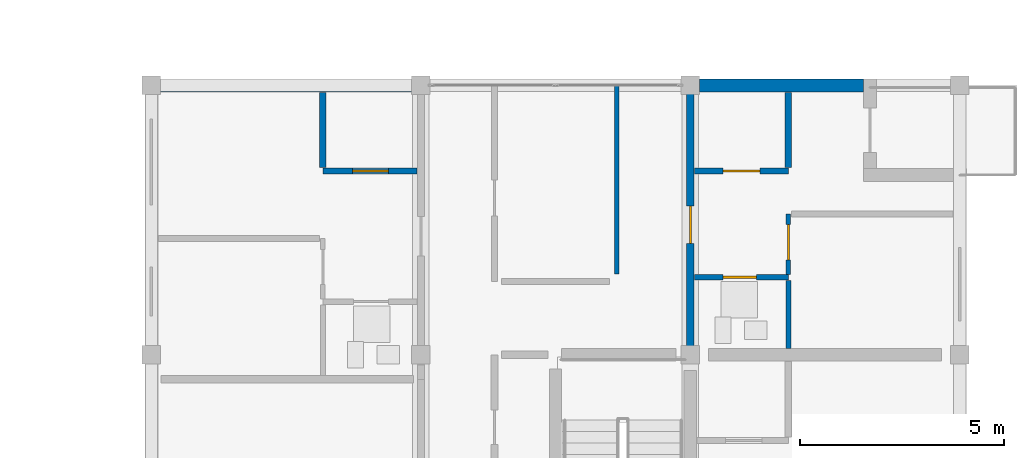
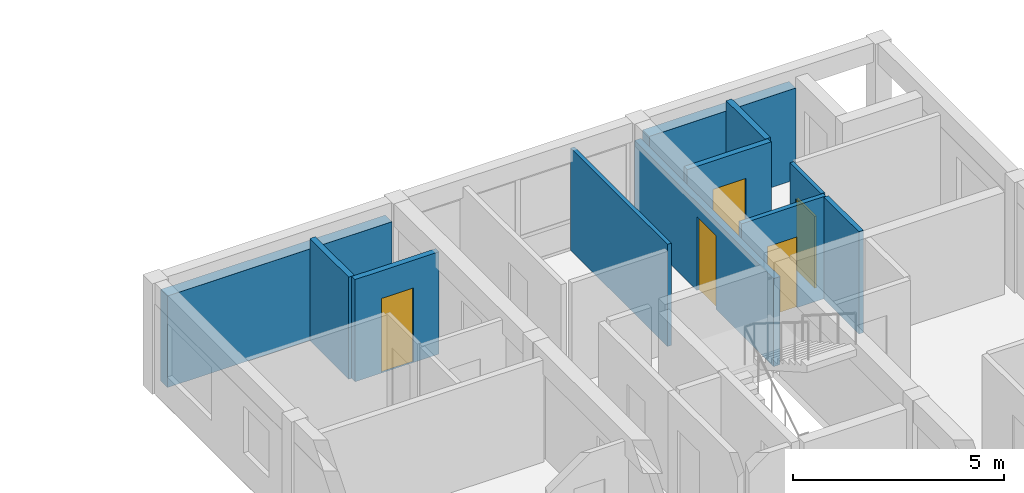
# One storey, part 30 of 45: 11 walls, 5 doors, 5 openings.
"""IFC4 building model written with IfcOpenShell, lengths in metres."""

from ifc_helpers import new_model, si_unit, direction, frame, frame_2d, origin, place, context, subcontext, project, spatial, rectangle, extrude, material, layer, layer_set, type_object, element, fill, save


model = new_model("IFC4")

# Units and contexts
model_context = context("Model", 3, precision=1e-05, world=origin(), true_north=direction((0.0, 1.0)))
body_context = subcontext(model_context, "Body", "Model", "MODEL_VIEW")
ifc_project = project(units=[si_unit("LENGTHUNIT", "METRE"), si_unit("AREAUNIT", "SQUARE_METRE"), si_unit("VOLUMEUNIT", "CUBIC_METRE"), si_unit("PLANEANGLEUNIT", "RADIAN"), si_unit("MASSUNIT", "GRAM", prefix="KILO")], contexts=[model_context])

# Site, building, storey
site_placement = place(None, origin())
site = spatial("IfcSite", under=ifc_project, at=site_placement, CompositionType="ELEMENT")
building_placement = place(site_placement, origin())
building = spatial("IfcBuilding", under=site, at=building_placement, Name="Kernevlak Ridge Housing Community", CompositionType="ELEMENT")
storey_placement = place(building_placement, frame((0.0, 0.0, 21.199951171875)))
storey = spatial("IfcBuildingStorey", under=building, at=storey_placement, Name="L06", CompositionType="ELEMENT", Elevation=21.199951171875)

# Walls
ifc_material_1 = material(Name="Concrete block masonry M10", Category="masonry")
ifc_layer_1 = layer(ifc_material_1, 0.320068359375, Name="Concrete block masonry M10")
ifc_layer_set_1 = layer_set([ifc_layer_1], Name="Concrete block masonry M10")
wall_type_1 = type_object("IfcWallType", Name="EW-02", PredefinedType="STANDARD", material=ifc_layer_set_1)
wall_1_placement = place(storey_placement, frame((126.22509765625, 42.0, 0.0), z_axis=(0.0, 0.0, 1.0), x_axis=(1.0, 0.0, 0.0)))
element("IfcWall", 1, at=wall_1_placement, inside=storey, type_object=wall_type_1, Name="Exterior wall EW-02 L06 626", PredefinedType="STANDARD", context=body_context, shape_type="SweptSolid", body=[
    extrude(rectangle(XDim=6.14990234375, YDim=0.320068359375, at=frame_2d((3.074951171875, 0.0))), origin(), (0.0, 0.0, 1.0), 2.650146484375),
])
wall_2_placement = place(storey_placement, frame((139.425048828125, 42.0, 0.0), z_axis=(0.0, 0.0, 1.0), x_axis=(1.0, 0.0, 0.0)))
element("IfcWall", 2, at=wall_2_placement, inside=storey, type_object=wall_type_1, Name="Exterior wall EW-02 L06 627", PredefinedType="STANDARD", context=body_context, shape_type="SweptSolid", body=[
    extrude(rectangle(XDim=4.014892578125, YDim=0.320068359375, at=frame_2d((2.00732421875, 0.0))), origin(), (0.0, 0.0, 1.0), 2.650146484375),
])

# Wall, opening, door
ifc_layer_2 = layer(ifc_material_1, 0.175048828125, Name="Concrete block masonry M10")
ifc_layer_set_2 = layer_set([ifc_layer_2], Name="Concrete block masonry M10")
wall_type_2 = type_object("IfcWallType", Name="PW-02", PredefinedType="PARTITIONING", material=ifc_layer_set_2)
wall_3_placement = place(storey_placement, frame((139.199951171875, 35.39990234375, 0.0), z_axis=(0.0, 0.0, 1.0), x_axis=(0.0, 1.0, 0.0)))
wall_3 = element("IfcWall", 3, at=wall_3_placement, inside=storey, type_object=wall_type_2, Name="Interior wall PW-02 WAL-INT-L06-2541", PredefinedType="PARTITIONING", context=body_context, shape_type="SweptSolid", body=[
    extrude(rectangle(XDim=6.60009765625, YDim=0.175048828125, at=frame_2d((3.300048828125, 0.0))), origin(), (0.0, 0.0, 1.0), 2.550048828125),
])
opening_1_placement = place(wall_3_placement, frame((2.72509765625, 0.0, 0.0)))
opening_1 = element("IfcOpeningElement", 4, at=opening_1_placement, cuts=wall_3, Name="Opening E288", PredefinedType="OPENING", context=body_context, shape_type="SweptSolid", body=[
    extrude(rectangle(XDim=0.919921875, YDim=2.139892578125, at=frame_2d((0.4599609375, 1.06982421875))), frame((0.0, 0.097412109375, 0.0), z_axis=(0.0, -1.0, 0.0), x_axis=(1.0, 0.0, 0.0)), (0.0, 0.0, 1.0), 0.195068359375),
])
ifc_material_2 = material(Name="Hardwood timber solid-core fire leaf", Category="wood")
door_type_1 = type_object("IfcDoorType", Name="DT-20", OperationType="NOTDEFINED", PredefinedType="DOOR", material=ifc_material_2)
door_1_placement = place(opening_1_placement, origin())
door_1 = element("IfcDoor", 5, at=door_1_placement, inside=storey, type_object=door_type_1, Name="Flat C0623 entrance fire door E288", OperationType="SINGLE_SWING_LEFT", OverallHeight=2.139892578125, OverallWidth=0.919921875, PredefinedType="DOOR", context=body_context, shape_type="SweptSolid", body=[
    extrude(rectangle(XDim=0.919921875, YDim=2.139892578125, at=frame_2d((0.4599609375, 1.06982421875))), frame((0.0, 0.02490234375, 0.0), z_axis=(0.0, -1.0, 0.0), x_axis=(1.0, 0.0, 0.0)), (0.0, 0.0, 1.0), 0.050048828125),
])
fill(opening_1, door_1)

ifc_material_3 = material(Name="Gypsum plasterboard EN 520", Category="gypsum")
ifc_layer_3 = layer(ifc_material_3, 0.125, Name="Gypsum plasterboard EN 520")
ifc_layer_set_3 = layer_set([ifc_layer_3], Name="Gypsum plasterboard EN 520")
wall_type_3 = type_object("IfcWallType", Name="PW-04", PredefinedType="PARTITIONING", material=ifc_layer_set_3)
wall_4_placement = place(storey_placement, frame((139.297607421875, 37.300048828125, 0.0), z_axis=(0.0, 0.0, 1.0), x_axis=(1.0, 0.0, 0.0)))
wall_4 = element("IfcWall", 6, at=wall_4_placement, inside=storey, type_object=wall_type_3, Name="Interior wall PW-04 WAL-INT-L06-2542", PredefinedType="PARTITIONING", context=body_context, shape_type="SweptSolid", body=[
    extrude(rectangle(XDim=2.302490234375, YDim=0.125, at=frame_2d((1.1513671875, 0.0))), origin(), (0.0, 0.0, 1.0), 2.9599609375),
])
opening_2_placement = place(wall_4_placement, frame((0.699951171875, 0.0, 0.0)))
opening_2 = element("IfcOpeningElement", 7, at=opening_2_placement, cuts=wall_4, Name="Opening E289", PredefinedType="OPENING", context=body_context, shape_type="SweptSolid", body=[
    extrude(rectangle(XDim=0.820068359375, YDim=2.050048828125, at=frame_2d((0.41015625, 1.02490234375))), frame((0.0, 0.072509765625, 0.0), z_axis=(0.0, -1.0, 0.0), x_axis=(1.0, 0.0, 0.0)), (0.0, 0.0, 1.0), 0.14501953125),
])
ifc_material_4 = material(Name="Hardwood timber moisture-resistant leaf", Category="wood")
door_type_2 = type_object("IfcDoorType", Name="DT-30", OperationType="NOTDEFINED", PredefinedType="DOOR", material=ifc_material_4)
door_2_placement = place(opening_2_placement, origin())
door_2 = element("IfcDoor", 8, at=door_2_placement, inside=storey, type_object=door_type_2, Name="Flat C0623 bathroom door E289", OperationType="SINGLE_SWING_RIGHT", OverallHeight=2.050048828125, OverallWidth=0.820068359375, PredefinedType="DOOR", context=body_context, shape_type="SweptSolid", body=[
    extrude(rectangle(XDim=0.820068359375, YDim=2.050048828125, at=frame_2d((0.41015625, 1.02490234375))), frame((0.0, 0.02490234375, 0.0), z_axis=(0.0, -1.0, 0.0), x_axis=(1.0, 0.0, 0.0)), (0.0, 0.0, 1.0), 0.050048828125),
])
fill(opening_2, door_2)

# Wall
wall_5_placement = place(storey_placement, frame((141.60009765625, 35.56005859375, 0.0), z_axis=(0.0, 0.0, 1.0), x_axis=(0.0, 1.0, 0.0)))
element("IfcWall", 9, at=wall_5_placement, inside=storey, type_object=wall_type_3, Name="Interior wall PW-04 WAL-INT-L06-2543", PredefinedType="PARTITIONING", context=body_context, shape_type="SweptSolid", body=[
    extrude(rectangle(XDim=1.659912109375, YDim=0.125, at=frame_2d((0.830078125, 0.0))), origin(), (0.0, 0.0, 1.0), 2.9599609375),
])

# Wall, opening, door
ifc_layer_4 = layer(ifc_material_3, 0.155029296875, Name="Gypsum plasterboard EN 520")
ifc_layer_set_4 = layer_set([ifc_layer_4], Name="Gypsum plasterboard EN 520")
wall_type_4 = type_object("IfcWallType", Name="PW-05", PredefinedType="PARTITIONING", material=ifc_layer_set_4)
wall_6_placement = place(storey_placement, frame((132.50244140625, 39.89990234375, 0.0), z_axis=(0.0, 0.0, 1.0), x_axis=(-1.0, 0.0, 0.0)))
wall_6 = element("IfcWall", 10, at=wall_6_placement, inside=storey, type_object=wall_type_4, Name="Interior wall PW-05 WAL-INT-L06-2524", PredefinedType="PARTITIONING", context=body_context, shape_type="SweptSolid", body=[
    extrude(rectangle(XDim=2.302490234375, YDim=0.155029296875, at=frame_2d((1.1513671875, 0.0))), origin(), (0.0, 0.0, 1.0), 2.9599609375),
])
opening_3_placement = place(wall_6_placement, frame((0.699951171875, 0.0, 0.0)))
opening_3 = element("IfcOpeningElement", 11, at=opening_3_placement, cuts=wall_6, Name="Opening E279", PredefinedType="OPENING", context=body_context, shape_type="SweptSolid", body=[
    extrude(rectangle(XDim=0.8798828125, YDim=2.159912109375, at=frame_2d((0.43994140625, 1.080078125))), frame((0.0, 0.08740234375, 0.0), z_axis=(0.0, -1.0, 0.0), x_axis=(1.0, 0.0, 0.0)), (0.0, 0.0, 1.0), 0.175048828125),
])
ifc_material_5 = material(Name="Hardwood timber leaf", Category="wood")
door_type_3 = type_object("IfcDoorType", Name="DT-26", OperationType="NOTDEFINED", PredefinedType="DOOR", material=ifc_material_5)
door_3_placement = place(opening_3_placement, origin())
door_3 = element("IfcDoor", 12, at=door_3_placement, inside=storey, type_object=door_type_3, Name="Flat C0613 kitchen door E279", OperationType="SINGLE_SWING_RIGHT", OverallHeight=2.159912109375, OverallWidth=0.8798828125, PredefinedType="DOOR", context=body_context, shape_type="SweptSolid", body=[
    extrude(rectangle(XDim=0.8798828125, YDim=2.159912109375, at=frame_2d((0.43994140625, 1.080078125))), frame((0.0, 0.02490234375, 0.0), z_axis=(0.0, -1.0, 0.0), x_axis=(1.0, 0.0, 0.0)), (0.0, 0.0, 1.0), 0.050048828125),
])
fill(opening_3, door_3)

# Wall
wall_7_placement = place(storey_placement, frame((130.199951171875, 39.987548828125, 0.0), z_axis=(0.0, 0.0, 1.0), x_axis=(0.0, 1.0, 0.0)))
element("IfcWall", 13, at=wall_7_placement, inside=storey, type_object=wall_type_4, Name="Interior wall PW-05 WAL-INT-L06-2525", PredefinedType="PARTITIONING", context=body_context, shape_type="SweptSolid", body=[
    extrude(rectangle(XDim=1.842529296875, YDim=0.155029296875, at=frame_2d((0.92138671875, 0.0))), origin(), (0.0, 0.0, 1.0), 2.9599609375),
])

# Wall, opening, door
wall_8_placement = place(storey_placement, frame((139.297607421875, 39.89990234375, 0.0), z_axis=(0.0, 0.0, 1.0), x_axis=(1.0, 0.0, 0.0)))
wall_8 = element("IfcWall", 14, at=wall_8_placement, inside=storey, type_object=wall_type_4, Name="Interior wall PW-05 WAL-INT-L06-2544", PredefinedType="PARTITIONING", context=body_context, shape_type="SweptSolid", body=[
    extrude(rectangle(XDim=2.302490234375, YDim=0.155029296875, at=frame_2d((1.1513671875, 0.0))), origin(), (0.0, 0.0, 1.0), 2.9599609375),
])
opening_4_placement = place(wall_8_placement, frame((0.699951171875, 0.0, 0.0)))
opening_4 = element("IfcOpeningElement", 15, at=opening_4_placement, cuts=wall_8, Name="Opening E290", PredefinedType="OPENING", context=body_context, shape_type="SweptSolid", body=[
    extrude(rectangle(XDim=0.909912109375, YDim=2.139892578125, at=frame_2d((0.455078125, 1.06982421875))), frame((0.0, 0.08740234375, 0.0), z_axis=(0.0, -1.0, 0.0), x_axis=(1.0, 0.0, 0.0)), (0.0, 0.0, 1.0), 0.175048828125),
])
door_type_4 = type_object("IfcDoorType", Name="DT-31", OperationType="NOTDEFINED", PredefinedType="DOOR", material=ifc_material_5)
door_4_placement = place(opening_4_placement, origin())
door_4 = element("IfcDoor", 16, at=door_4_placement, inside=storey, type_object=door_type_4, Name="Flat C0623 kitchen door E290", OperationType="SINGLE_SWING_LEFT", OverallHeight=2.139892578125, OverallWidth=0.909912109375, PredefinedType="DOOR", context=body_context, shape_type="SweptSolid", body=[
    extrude(rectangle(XDim=0.909912109375, YDim=2.139892578125, at=frame_2d((0.455078125, 1.06982421875))), frame((0.0, 0.02490234375, 0.0), z_axis=(0.0, -1.0, 0.0), x_axis=(1.0, 0.0, 0.0)), (0.0, 0.0, 1.0), 0.050048828125),
])
fill(opening_4, door_4)

# Walls
wall_9_placement = place(storey_placement, frame((141.60009765625, 39.987548828125, 0.0), z_axis=(0.0, 0.0, 1.0), x_axis=(0.0, 1.0, 0.0)))
element("IfcWall", 17, at=wall_9_placement, inside=storey, type_object=wall_type_4, Name="Interior wall PW-05 WAL-INT-L06-2545", PredefinedType="PARTITIONING", context=body_context, shape_type="SweptSolid", body=[
    extrude(rectangle(XDim=1.842529296875, YDim=0.155029296875, at=frame_2d((0.92138671875, 0.0))), origin(), (0.0, 0.0, 1.0), 2.9599609375),
])
ifc_layer_5 = layer(ifc_material_3, 0.10498046875, Name="Gypsum plasterboard EN 520")
ifc_layer_set_5 = layer_set([ifc_layer_5], Name="Gypsum plasterboard EN 520")
wall_type_5 = type_object("IfcWallType", Name="PW-06", PredefinedType="PARTITIONING", material=ifc_layer_set_5)
wall_10_placement = place(storey_placement, frame((137.39990234375, 37.3798828125, 0.0), z_axis=(0.0, 0.0, 1.0), x_axis=(0.0, 1.0, 0.0)))
element("IfcWall", 18, at=wall_10_placement, inside=storey, type_object=wall_type_5, Name="Interior wall PW-06 WAL-INT-L06-2506", PredefinedType="PARTITIONING", context=body_context, shape_type="SweptSolid", body=[
    extrude(rectangle(XDim=4.60009765625, YDim=0.10498046875, at=frame_2d((2.300048828125, 0.0))), origin(), (0.0, 0.0, 1.0), 2.9599609375),
])

# Wall, opening, door
wall_11_placement = place(storey_placement, frame((141.60009765625, 37.37255859375, 0.0), z_axis=(0.0, 0.0, 1.0), x_axis=(0.0, 1.0, 0.0)))
wall_11 = element("IfcWall", 19, at=wall_11_placement, inside=storey, type_object=wall_type_5, Name="Interior wall PW-06 WAL-INT-L06-2546", PredefinedType="PARTITIONING", context=body_context, shape_type="SweptSolid", body=[
    extrude(rectangle(XDim=1.4775390625, YDim=0.10498046875, at=frame_2d((0.73876953125, 0.0))), origin(), (0.0, 0.0, 1.0), 2.9599609375),
])
opening_5_placement = place(wall_11_placement, frame((0.35009765625, 0.0, 0.0)))
opening_5 = element("IfcOpeningElement", 20, at=opening_5_placement, cuts=wall_11, Name="Opening E291", PredefinedType="OPENING", context=body_context, shape_type="SweptSolid", body=[
    extrude(rectangle(XDim=0.8701171875, YDim=2.080078125, at=frame_2d((0.43505859375, 1.0400390625))), frame((0.0, 0.0625, 0.0), z_axis=(0.0, -1.0, 0.0), x_axis=(1.0, 0.0, 0.0)), (0.0, 0.0, 1.0), 0.125),
])
door_type_5 = type_object("IfcDoorType", Name="DT-32", OperationType="NOTDEFINED", PredefinedType="DOOR", material=ifc_material_5)
door_5_placement = place(opening_5_placement, origin())
door_5 = element("IfcDoor", 21, at=door_5_placement, inside=storey, type_object=door_type_5, Name="Flat C0623 bedroom door E291", OperationType="SINGLE_SWING_RIGHT", OverallHeight=2.080078125, OverallWidth=0.8701171875, PredefinedType="DOOR", context=body_context, shape_type="SweptSolid", body=[
    extrude(rectangle(XDim=0.8701171875, YDim=2.080078125, at=frame_2d((0.43505859375, 1.0400390625))), frame((0.0, 0.02490234375, 0.0), z_axis=(0.0, -1.0, 0.0), x_axis=(1.0, 0.0, 0.0)), (0.0, 0.0, 1.0), 0.050048828125),
])
fill(opening_5, door_5)

save(model, "model.ifc")
